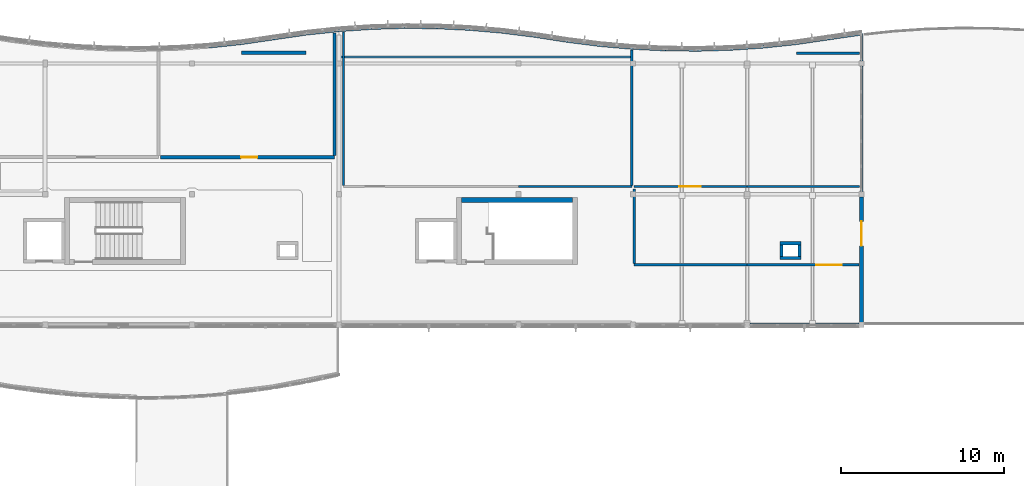
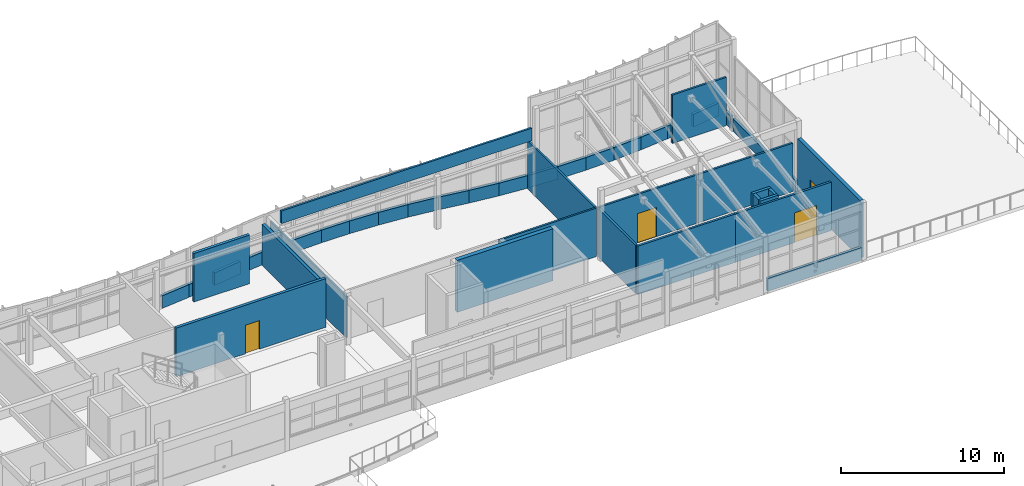
# One storey, part 22 of 33: 42 walls, 4 doors, 4 openings.
"""IFC4 building model written with IfcOpenShell, lengths in metres."""

from ifc_helpers import new_model, si_unit, direction, frame, frame_2d, origin, place, context, subcontext, project, spatial, rectangle, extrude, material, layer, layer_set, type_object, element, fill, save


model = new_model("IFC4")

# Units and contexts
model_context = context("Model", 3, precision=1e-05, world=origin(), true_north=direction((0.0, 1.0)))
body_context = subcontext(model_context, "Body", "Model", "MODEL_VIEW")
ifc_project = project(units=[si_unit("LENGTHUNIT", "METRE"), si_unit("AREAUNIT", "SQUARE_METRE"), si_unit("VOLUMEUNIT", "CUBIC_METRE"), si_unit("PLANEANGLEUNIT", "RADIAN"), si_unit("MASSUNIT", "GRAM", prefix="KILO")], contexts=[model_context])

# Site, building, storey
site_placement = place(None, origin())
site = spatial("IfcSite", under=ifc_project, at=site_placement, CompositionType="ELEMENT")
building_placement = place(site_placement, origin())
building = spatial("IfcBuilding", under=site, at=building_placement, Name="Tonlespit Floodbar School", CompositionType="ELEMENT")
storey_placement = place(building_placement, frame((0.0, 0.0, 16.199951171875)))
storey = spatial("IfcBuildingStorey", under=building, at=storey_placement, Name="L04", CompositionType="ELEMENT", Elevation=16.199951171875)

# Wall
ifc_material_1 = material(Name="Concrete C40/50", Category="concrete")
ifc_layer_1 = layer(ifc_material_1, 0.300048828125)
ifc_layer_set_1 = layer_set([ifc_layer_1], Name="Concrete C40/50")
wall_type_1 = type_object("IfcWallType", Name="CoreWall_RC_300", PredefinedType="SHEAR", material=ifc_layer_set_1)
wall_1_placement = place(storey_placement, frame((130.300048828125, 111.64990234375, 0.0), z_axis=(0.0, 0.0, 1.0), x_axis=(-1.0, 0.0, 0.0)))
element("IfcWall", 1, at=wall_1_placement, inside=storey, type_object=wall_type_1, Name="L04 core C4 shear wall RGHT", PredefinedType="SHEAR", context=body_context, shape_type="SweptSolid", body=[
    extrude(rectangle(XDim=6.800048828125, YDim=0.300048828125, at=frame_2d((3.39990234375, 0.0))), origin(), (0.0, 0.0, 1.0), 3.900146484375),
])

# Wall, opening, door
ifc_material_2 = material(Name="Precast concrete C40/50", Category="concrete")
ifc_layer_2 = layer(ifc_material_2, 0.239990234375)
ifc_layer_set_2 = layer_set([ifc_layer_2], Name="Precast concrete C40/50")
wall_type_2 = type_object("IfcWallType", Name="ExtWall_Rainscreen_240", PredefinedType="SOLIDWALL", material=ifc_layer_set_2)
wall_2_placement = place(storey_placement, frame((148.0, 111.840087890625, 0.0), z_axis=(0.0, 0.0, 1.0), x_axis=(0.0, -1.0, 0.0)))
wall_2 = element("IfcWall", 2, at=wall_2_placement, inside=storey, type_object=wall_type_2, Name="L04 external wall 0680", PredefinedType="SOLIDWALL", context=body_context, shape_type="SweptSolid", body=[
    extrude(rectangle(XDim=7.68017578125, YDim=0.239990234375, at=frame_2d((3.840087890625, 0.0))), origin(), (0.0, 0.0, 1.0), 4.320068359375),
])
opening_1_placement = place(wall_2_placement, frame((1.5, 0.0, 0.0)))
opening_1 = element("IfcOpeningElement", 3, at=opening_1_placement, cuts=wall_2, Name="Opening D-TR-036", PredefinedType="OPENING", context=body_context, shape_type="SweptSolid", body=[
    extrude(rectangle(XDim=1.5, YDim=2.14990234375, at=frame_2d((0.75, 1.074951171875))), frame((0.0, 0.1298828125, 0.0), z_axis=(0.0, -1.0, 0.0), x_axis=(1.0, 0.0, 0.0)), (0.0, 0.0, 1.0), 0.260009765625),
])
ifc_material_3 = material(Name="Anodised Aluminium", Category="aluminium")
door_type_1 = type_object("IfcDoorType", Name="ExtDoor_Terrace_1500x2150", OperationType="NOTDEFINED", PredefinedType="DOOR", material=ifc_material_3)
door_1_placement = place(opening_1_placement, origin())
door_1 = element("IfcDoor", 4, at=door_1_placement, inside=storey, type_object=door_type_1, Name="L04 exterior door D-TR-036", OperationType="SINGLE_SWING_RIGHT", OverallHeight=2.14990234375, OverallWidth=1.5, PredefinedType="DOOR", context=body_context, shape_type="SweptSolid", body=[
    extrude(rectangle(XDim=1.5, YDim=2.14990234375, at=frame_2d((0.75, 1.074951171875))), frame((0.0, 0.02490234375, 0.0), z_axis=(0.0, -1.0, 0.0), x_axis=(1.0, 0.0, 0.0)), (0.0, 0.0, 1.0), 0.050048828125),
])
fill(opening_1, door_1)

# Walls
ifc_material_4 = material(Name="White Architectural Precast concrete C40/50", Category="concrete")
ifc_layer_3 = layer(ifc_material_4, 0.18505859375)
ifc_layer_set_3 = layer_set([ifc_layer_3], Name="White Architectural Precast concrete C40/50")
wall_type_3 = type_object("IfcWallType", Name="ExtWall_Spandrel_White_185", PredefinedType="SOLIDWALL", material=ifc_layer_set_3)
wall_3_placement = place(storey_placement, frame((148.0, 121.841552734375, 0.0), z_axis=(0.0, 0.0, 1.0), x_axis=(0.0, -1.0, 0.0)))
element("IfcWall", 5, at=wall_3_placement, inside=storey, type_object=wall_type_3, Name="L04 spandrel wall 0678", PredefinedType="SOLIDWALL", context=body_context, shape_type="SweptSolid", body=[
    extrude(rectangle(XDim=1.681640625, YDim=0.18505859375, at=frame_2d((0.8408203125, 0.0))), origin(), (0.0, 0.0, 1.0), 0.949951171875),
])
wall_4_placement = place(storey_placement, frame((148.0, 119.840087890625, 0.0), z_axis=(0.0, 0.0, 1.0), x_axis=(0.0, -1.0, 0.0)))
element("IfcWall", 6, at=wall_4_placement, inside=storey, type_object=wall_type_3, Name="L04 spandrel wall 0679", PredefinedType="SOLIDWALL", context=body_context, shape_type="SweptSolid", body=[
    extrude(rectangle(XDim=7.68017578125, YDim=0.18505859375, at=frame_2d((3.840087890625, 0.0))), origin(), (0.0, 0.0, 1.0), 0.949951171875),
])
ifc_layer_4 = layer(ifc_material_4, 0.199951171875)
ifc_layer_set_4 = layer_set([ifc_layer_4], Name="White Architectural Precast concrete C40/50")
wall_type_4 = type_object("IfcWallType", Name="ExtWall_Spandrel_White_200", PredefinedType="SOLIDWALL", material=ifc_layer_set_4)
wall_5_placement = place(storey_placement, frame((108.0, 121.045654296875, 0.0), z_axis=(0.0, 0.0, 1.0), x_axis=(0.994395160059, 0.105727317433, 0.0)))
element("IfcWall", 7, at=wall_5_placement, inside=storey, type_object=wall_type_4, Name="L04 spandrel wall 0221", PredefinedType="SOLIDWALL", context=body_context, shape_type="SweptSolid", body=[
    extrude(rectangle(XDim=2.01123046875, YDim=0.199951171875, at=frame_2d((1.005615234375, 0.0))), origin(), (0.0, 0.0, 1.0), 0.949951171875),
])
for number, where, z_axis, x_axis, name in (
    (8, (110.0, 121.25830078125, 0.0), (0.0, 0.0, 1.0), (0.989527230727, 0.144346318447, 0.0), "L04 spandrel wall 0222"),
    (9, (112.0, 121.550048828125, 0.0), (0.0, 0.0, 1.0), (0.989544477223, 0.144228040259, 0.0), "L04 spandrel wall 0223"),
):
    element("IfcWall", number, at=place(storey_placement, frame(where, z_axis=z_axis, x_axis=x_axis)), inside=storey, type_object=wall_type_4, Name=name, PredefinedType="SOLIDWALL", context=body_context, shape_type="SweptSolid", body=[
        extrude(rectangle(XDim=2.021240234375, YDim=0.199951171875, at=frame_2d((1.0107421875, 0.0))), origin(), (0.0, 0.0, 1.0), 0.949951171875),
    ])
wall_6_placement = place(storey_placement, frame((114.0, 121.841552734375, 0.0), z_axis=(0.0, 0.0, 1.0), x_axis=(0.994395160059, 0.105727317433, 0.0)))
element("IfcWall", 10, at=wall_6_placement, inside=storey, type_object=wall_type_4, Name="L04 spandrel wall 0224", PredefinedType="SOLIDWALL", context=body_context, shape_type="SweptSolid", body=[
    extrude(rectangle(XDim=2.01123046875, YDim=0.199951171875, at=frame_2d((1.005615234375, 0.0))), origin(), (0.0, 0.0, 1.0), 0.949951171875),
])
wall_7_placement = place(storey_placement, frame((116.0, 122.05419921875, 0.0), z_axis=(0.0, 0.0, 1.0), x_axis=(0.997729302978, 0.067351599676, 0.0)))
element("IfcWall", 11, at=wall_7_placement, inside=storey, type_object=wall_type_4, Name="L04 spandrel wall 0662", PredefinedType="SOLIDWALL", context=body_context, shape_type="SweptSolid", body=[
    extrude(rectangle(XDim=2.004638671875, YDim=0.199951171875, at=frame_2d((1.00244140625, 0.0))), origin(), (0.0, 0.0, 1.0), 0.949951171875),
])
wall_8_placement = place(storey_placement, frame((118.0, 122.189208984375, 0.0), z_axis=(0.0, 0.0, 1.0), x_axis=(0.999581770858, 0.028918564416, 0.0)))
element("IfcWall", 12, at=wall_8_placement, inside=storey, type_object=wall_type_4, Name="L04 spandrel wall 0663", PredefinedType="SOLIDWALL", context=body_context, shape_type="SweptSolid", body=[
    extrude(rectangle(XDim=2.000732421875, YDim=0.199951171875, at=frame_2d((1.00048828125, 0.0))), origin(), (0.0, 0.0, 1.0), 0.949951171875),
])
wall_9_placement = place(storey_placement, frame((120.0, 122.2470703125, 0.0), z_axis=(0.0, 0.0, 1.0), x_axis=(0.999953504169, -0.009643106302, 0.0)))
element("IfcWall", 13, at=wall_9_placement, inside=storey, type_object=wall_type_4, Name="L04 spandrel wall 0664", PredefinedType="SOLIDWALL", context=body_context, shape_type="SweptSolid", body=[
    extrude(rectangle(XDim=2.0, YDim=0.199951171875, at=frame_2d((1.0, 0.0))), origin(), (0.0, 0.0, 1.0), 0.949951171875),
])
wall_10_placement = place(storey_placement, frame((122.0, 122.227783203125, 0.0), z_axis=(0.0, 0.0, 1.0), x_axis=(0.99884540439, -0.048040172037, 0.0)))
element("IfcWall", 14, at=wall_10_placement, inside=storey, type_object=wall_type_4, Name="L04 spandrel wall 0665", PredefinedType="SOLIDWALL", context=body_context, shape_type="SweptSolid", body=[
    extrude(rectangle(XDim=2.002197265625, YDim=0.199951171875, at=frame_2d((1.0009765625, 0.0))), origin(), (0.0, 0.0, 1.0), 0.949951171875),
])
wall_11_placement = place(storey_placement, frame((124.0, 122.131591796875, 0.0), z_axis=(0.0, 0.0, 1.0), x_axis=(0.996244237948, -0.086587633962, 0.0)))
element("IfcWall", 15, at=wall_11_placement, inside=storey, type_object=wall_type_4, Name="L04 spandrel wall 0666", PredefinedType="SOLIDWALL", context=body_context, shape_type="SweptSolid", body=[
    extrude(rectangle(XDim=2.007568359375, YDim=0.199951171875, at=frame_2d((1.00390625, 0.0))), origin(), (0.0, 0.0, 1.0), 0.949951171875),
])
wall_12_placement = place(storey_placement, frame((126.0, 121.957763671875, 0.0), z_axis=(0.0, 0.0, 1.0), x_axis=(0.992158168336, -0.124988675503, 0.0)))
element("IfcWall", 16, at=wall_12_placement, inside=storey, type_object=wall_type_4, Name="L04 spandrel wall 0667", PredefinedType="SOLIDWALL", context=body_context, shape_type="SweptSolid", body=[
    extrude(rectangle(XDim=2.015869140625, YDim=0.199951171875, at=frame_2d((1.0078125, 0.0))), origin(), (0.0, 0.0, 1.0), 0.949951171875),
])
wall_13_placement = place(storey_placement, frame((128.0, 121.705810546875, 0.0), z_axis=(0.0, 0.0, 1.0), x_axis=(0.988085509852, -0.153905897287, 0.0)))
element("IfcWall", 17, at=wall_13_placement, inside=storey, type_object=wall_type_4, Name="L04 spandrel wall 0668", PredefinedType="SOLIDWALL", context=body_context, shape_type="SweptSolid", body=[
    extrude(rectangle(XDim=2.024169921875, YDim=0.199951171875, at=frame_2d((1.01220703125, 0.0))), origin(), (0.0, 0.0, 1.0), 0.949951171875),
])
wall_14_placement = place(storey_placement, frame((130.0, 121.394287109375, 0.0), z_axis=(0.0, 0.0, 1.0), x_axis=(0.992158168336, -0.124988675503, 0.0)))
element("IfcWall", 18, at=wall_14_placement, inside=storey, type_object=wall_type_4, Name="L04 spandrel wall 0669", PredefinedType="SOLIDWALL", context=body_context, shape_type="SweptSolid", body=[
    extrude(rectangle(XDim=2.015869140625, YDim=0.199951171875, at=frame_2d((1.0078125, 0.0))), origin(), (0.0, 0.0, 1.0), 0.949951171875),
])
wall_15_placement = place(storey_placement, frame((132.0, 121.142333984375, 0.0), z_axis=(0.0, 0.0, 1.0), x_axis=(0.996244237948, -0.086587633962, 0.0)))
element("IfcWall", 19, at=wall_15_placement, inside=storey, type_object=wall_type_4, Name="L04 spandrel wall 0670", PredefinedType="SOLIDWALL", context=body_context, shape_type="SweptSolid", body=[
    extrude(rectangle(XDim=2.007568359375, YDim=0.199951171875, at=frame_2d((1.00390625, 0.0))), origin(), (0.0, 0.0, 1.0), 0.949951171875),
])
wall_16_placement = place(storey_placement, frame((134.0, 120.968505859375, 0.0), z_axis=(0.0, 0.0, 1.0), x_axis=(0.99884540439, -0.048040172037, 0.0)))
element("IfcWall", 20, at=wall_16_placement, inside=storey, type_object=wall_type_4, Name="L04 spandrel wall 0671", PredefinedType="SOLIDWALL", context=body_context, shape_type="SweptSolid", body=[
    extrude(rectangle(XDim=2.002197265625, YDim=0.199951171875, at=frame_2d((1.0009765625, 0.0))), origin(), (0.0, 0.0, 1.0), 0.949951171875),
])
wall_17_placement = place(storey_placement, frame((136.0, 120.872314453125, 0.0), z_axis=(0.0, 0.0, 1.0), x_axis=(0.999953504169, -0.009643106302, 0.0)))
element("IfcWall", 21, at=wall_17_placement, inside=storey, type_object=wall_type_4, Name="L04 spandrel wall 0672", PredefinedType="SOLIDWALL", context=body_context, shape_type="SweptSolid", body=[
    extrude(rectangle(XDim=2.0, YDim=0.199951171875, at=frame_2d((1.0, 0.0))), origin(), (0.0, 0.0, 1.0), 0.949951171875),
])
wall_18_placement = place(storey_placement, frame((138.0, 120.85302734375, 0.0), z_axis=(0.0, 0.0, 1.0), x_axis=(0.999585290582, 0.028796646555, 0.0)))
element("IfcWall", 22, at=wall_18_placement, inside=storey, type_object=wall_type_4, Name="L04 spandrel wall 0673", PredefinedType="SOLIDWALL", context=body_context, shape_type="SweptSolid", body=[
    extrude(rectangle(XDim=2.000732421875, YDim=0.199951171875, at=frame_2d((1.00048828125, 0.0))), origin(), (0.0, 0.0, 1.0), 0.949951171875),
])
wall_19_placement = place(storey_placement, frame((140.0, 120.91064453125, 0.0), z_axis=(0.0, 0.0, 1.0), x_axis=(0.997729302978, 0.067351599676, 0.0)))
element("IfcWall", 23, at=wall_19_placement, inside=storey, type_object=wall_type_4, Name="L04 spandrel wall 0674", PredefinedType="SOLIDWALL", context=body_context, shape_type="SweptSolid", body=[
    extrude(rectangle(XDim=2.004638671875, YDim=0.199951171875, at=frame_2d((1.00244140625, 0.0))), origin(), (0.0, 0.0, 1.0), 0.949951171875),
])
wall_20_placement = place(storey_placement, frame((142.0, 121.045654296875, 0.0), z_axis=(0.0, 0.0, 1.0), x_axis=(0.994395160059, 0.105727317433, 0.0)))
element("IfcWall", 24, at=wall_20_placement, inside=storey, type_object=wall_type_4, Name="L04 spandrel wall 0675", PredefinedType="SOLIDWALL", context=body_context, shape_type="SweptSolid", body=[
    extrude(rectangle(XDim=2.01123046875, YDim=0.199951171875, at=frame_2d((1.005615234375, 0.0))), origin(), (0.0, 0.0, 1.0), 0.949951171875),
])
for number, where, z_axis, x_axis, name in (
    (25, (144.0, 121.25830078125, 0.0), (0.0, 0.0, 1.0), (0.989527230727, 0.144346318447, 0.0), "L04 spandrel wall 0676"),
    (26, (146.0, 121.550048828125, 0.0), (0.0, 0.0, 1.0), (0.989544477223, 0.144228040259, 0.0), "L04 spandrel wall 0677"),
):
    element("IfcWall", number, at=place(storey_placement, frame(where, z_axis=z_axis, x_axis=x_axis)), inside=storey, type_object=wall_type_4, Name=name, PredefinedType="SOLIDWALL", context=body_context, shape_type="SweptSolid", body=[
        extrude(rectangle(XDim=2.021240234375, YDim=0.199951171875, at=frame_2d((1.0107421875, 0.0))), origin(), (0.0, 0.0, 1.0), 0.949951171875),
    ])
wall_21_placement = place(storey_placement, frame((147.840087890625, 104.0, 0.0), z_axis=(0.0, 0.0, 1.0), x_axis=(-1.0, 0.0, 0.0)))
element("IfcWall", 27, at=wall_21_placement, inside=storey, type_object=wall_type_4, Name="L04 spandrel wall 0681", PredefinedType="SOLIDWALL", context=body_context, shape_type="SweptSolid", body=[
    extrude(rectangle(XDim=6.68017578125, YDim=0.199951171875, at=frame_2d((3.340087890625, 0.0))), origin(), (0.0, 0.0, 1.0), 0.949951171875),
])
ifc_layer_5 = layer(ifc_material_1, 0.199951171875)
ifc_layer_set_5 = layer_set([ifc_layer_5], Name="Concrete C40/50")
wall_type_5 = type_object("IfcWallType", Name="FireWall_Plant_200", PredefinedType="PARTITIONING", material=ifc_layer_set_5)
for number, where, z_axis, x_axis, name in (
    (28, (144.300048828125, 108.10009765625, 0.0), (0.0, 0.0, 1.0), (-1.0, 0.0, 0.0), "L04 service riser 05 wall S"),
    (29, (143.0, 109.0, 0.0), (0.0, 0.0, 1.0), (1.0, 0.0, 0.0), "L04 service riser 05 wall N"),
):
    element("IfcWall", number, at=place(storey_placement, frame(where, z_axis=z_axis, x_axis=x_axis)), inside=storey, type_object=wall_type_5, Name=name, PredefinedType="PARTITIONING", context=body_context, shape_type="SweptSolid", body=[
        extrude(rectangle(XDim=1.300048828125, YDim=0.199951171875, at=frame_2d((0.64990234375, 0.0))), origin(), (0.0, 0.0, 1.0), 3.650146484375),
    ])
for number, where, z_axis, x_axis, name in (
    (30, (143.10009765625, 108.199951171875, 0.0), (0.0, 0.0, 1.0), (0.0, 1.0, 0.0), "L04 service riser 05 wall W"),
    (31, (144.199951171875, 108.89990234375, 0.0), (0.0, 0.0, 1.0), (0.0, -1.0, 0.0), "L04 service riser 05 wall E"),
):
    element("IfcWall", number, at=place(storey_placement, frame(where, z_axis=z_axis, x_axis=x_axis)), inside=storey, type_object=wall_type_5, Name=name, PredefinedType="PARTITIONING", context=body_context, shape_type="SweptSolid", body=[
        extrude(rectangle(XDim=0.699951171875, YDim=0.199951171875, at=frame_2d((0.35009765625, 0.0))), origin(), (0.0, 0.0, 1.0), 3.650146484375),
    ])

# Wall, opening, door
wall_22_placement = place(storey_placement, frame((105.070068359375, 114.27001953125, 0.0), z_axis=(0.0, 0.0, 1.0), x_axis=(1.0, 0.0, 0.0)))
wall_22 = element("IfcWall", 32, at=wall_22_placement, inside=storey, type_object=wall_type_5, Name="L04 partition wall 0124", PredefinedType="PARTITIONING", context=body_context, shape_type="SweptSolid", body=[
    extrude(rectangle(XDim=10.659912109375, YDim=0.199951171875, at=frame_2d((5.330078125, 0.0))), origin(), (0.0, 0.0, 1.0), 3.650146484375),
])
opening_2_placement = place(wall_22_placement, frame((4.929931640625, 0.0, 0.0)))
opening_2 = element("IfcOpeningElement", 33, at=opening_2_placement, cuts=wall_22, Name="Opening D-L04-040", PredefinedType="OPENING", context=body_context, shape_type="SweptSolid", body=[
    extrude(rectangle(XDim=1.0, YDim=2.14990234375, at=frame_2d((0.5, 1.074951171875))), frame((0.0, 0.10986328125, 0.0), z_axis=(0.0, -1.0, 0.0), x_axis=(1.0, 0.0, 0.0)), (0.0, 0.0, 1.0), 0.219970703125),
])
ifc_material_5 = material(Name="Hardwood Timber", Category="wood")
door_type_2 = type_object("IfcDoorType", Name="FireDoor_Compartment_1000x2150", OperationType="NOTDEFINED", PredefinedType="DOOR", material=ifc_material_5)
door_2_placement = place(opening_2_placement, origin())
door_2 = element("IfcDoor", 34, at=door_2_placement, inside=storey, type_object=door_type_2, Name="L04 interior door D-L04-040", OperationType="SINGLE_SWING_LEFT", OverallHeight=2.14990234375, OverallWidth=1.0, PredefinedType="DOOR", context=body_context, shape_type="SweptSolid", body=[
    extrude(rectangle(XDim=1.0, YDim=2.14990234375, at=frame_2d((0.5, 1.074951171875))), frame((0.0, 0.02490234375, 0.0), z_axis=(0.0, -1.0, 0.0), x_axis=(1.0, 0.0, 0.0)), (0.0, 0.0, 1.0), 0.050048828125),
])
fill(opening_2, door_2)

# Walls
wall_23_placement = place(storey_placement, frame((110.02001953125, 120.662109375, 0.0), z_axis=(0.0, 0.0, 1.0), x_axis=(1.0, 0.0, 0.0)))
element("IfcWall", 35, at=wall_23_placement, inside=storey, type_object=wall_type_5, Name="L04 partition wall 0125", PredefinedType="PARTITIONING", context=body_context, shape_type="SweptSolid", body=[
    extrude(rectangle(XDim=3.9599609375, YDim=0.199951171875, at=frame_2d((1.97998046875, 0.0))), origin(), (0.0, 0.0, 1.0), 3.650146484375),
])
wall_24_placement = place(storey_placement, frame((115.72998046875, 114.385009765625, 0.0), z_axis=(0.0, 0.0, 1.0), x_axis=(0.0, 1.0, 0.0)))
element("IfcWall", 36, at=wall_24_placement, inside=storey, type_object=wall_type_5, Name="L04 partition wall 0126", PredefinedType="PARTITIONING", context=body_context, shape_type="SweptSolid", body=[
    extrude(rectangle(XDim=7.49853515625, YDim=0.199951171875, at=frame_2d((3.749267578125, 0.0))), origin(), (0.0, 0.0, 1.0), 3.090087890625),
])
ifc_material_6 = material(Name="CLT C24", Category="wood")
ifc_layer_6 = layer(ifc_material_6, 0.139892578125)
ifc_layer_set_6 = layer_set([ifc_layer_6], Name="CLT C24")
wall_type_6 = type_object("IfcWallType", Name="Parapet_CLT_140", PredefinedType="PARAPET", material=ifc_layer_set_6)
wall_25_placement = place(storey_placement, frame((116.10009765625, 120.39990234375, 3.900146484375), z_axis=(0.0, 0.0, 1.0), x_axis=(1.0, 0.0, 0.0)))
element("IfcWall", 37, at=wall_25_placement, inside=storey, type_object=wall_type_6, Name="Roof parapet 02", PredefinedType="PARAPET", context=body_context, shape_type="SweptSolid", body=[
    extrude(rectangle(XDim=17.7998046875, YDim=0.139892578125, at=frame_2d((8.89990234375, 0.0))), origin(), (0.0, 0.0, 1.0), 0.949951171875),
])
ifc_material_7 = material(Name="Gypsum Plasterboard Partition")
ifc_layer_7 = layer(ifc_material_7, 0.1298828125)
ifc_layer_set_7 = layer_set([ifc_layer_7], Name="Gypsum Plasterboard Partition")
wall_type_7 = type_object("IfcWallType", Name="Partition_Gyp_130", PredefinedType="PARTITIONING", material=ifc_layer_set_7)
wall_26_placement = place(storey_placement, frame((127.0, 112.469970703125, 0.0), z_axis=(0.0, 0.0, 1.0), x_axis=(1.0, 0.0, 0.0)))
element("IfcWall", 38, at=wall_26_placement, inside=storey, type_object=wall_type_7, Name="L04 partition wall 0425", PredefinedType="PARTITIONING", context=body_context, shape_type="SweptSolid", body=[
    extrude(rectangle(XDim=6.929931640625, YDim=0.1298828125, at=frame_2d((3.46484375, 0.0))), origin(), (0.0, 0.0, 1.0), 3.64013671875),
])
wall_27_placement = place(storey_placement, frame((116.27001953125, 112.550048828125, 0.0), z_axis=(0.0, 0.0, 1.0), x_axis=(0.0, 1.0, 0.0)))
element("IfcWall", 39, at=wall_27_placement, inside=storey, type_object=wall_type_7, Name="L04 partition wall 0426", PredefinedType="PARTITIONING", context=body_context, shape_type="SweptSolid", body=[
    extrude(rectangle(XDim=9.38037109375, YDim=0.1298828125, at=frame_2d((4.690185546875, 0.0))), origin(), (0.0, 0.0, 1.0), 3.090087890625),
])
wall_28_placement = place(storey_placement, frame((133.929931640625, 112.550048828125, 0.0), z_axis=(0.0, 0.0, 1.0), x_axis=(0.0, 1.0, 0.0)))
element("IfcWall", 40, at=wall_28_placement, inside=storey, type_object=wall_type_7, Name="L04 partition wall 0427", PredefinedType="PARTITIONING", context=body_context, shape_type="SweptSolid", body=[
    extrude(rectangle(XDim=8.27978515625, YDim=0.1298828125, at=frame_2d((4.139892578125, 0.0))), origin(), (0.0, 0.0, 1.0), 3.64013671875),
])

# Wall, opening, door
ifc_layer_8 = layer(ifc_material_7, 0.139892578125)
ifc_layer_set_8 = layer_set([ifc_layer_8], Name="Gypsum Plasterboard Partition")
wall_type_8 = type_object("IfcWallType", Name="Partition_Gyp_140", PredefinedType="PARTITIONING", material=ifc_layer_set_8)
wall_29_placement = place(storey_placement, frame((134.070068359375, 112.469970703125, 0.0), z_axis=(0.0, 0.0, 1.0), x_axis=(1.0, 0.0, 0.0)))
wall_29 = element("IfcWall", 41, at=wall_29_placement, inside=storey, type_object=wall_type_8, Name="L04 partition wall 0428", PredefinedType="PARTITIONING", context=body_context, shape_type="SweptSolid", body=[
    extrude(rectangle(XDim=6.929931640625, YDim=0.139892578125, at=frame_2d((3.46484375, 0.0))), origin(), (0.0, 0.0, 1.0), 3.64013671875),
])
opening_3_placement = place(wall_29_placement, frame((2.77001953125, 0.0, 0.0)))
opening_3 = element("IfcOpeningElement", 42, at=opening_3_placement, cuts=wall_29, Name="Opening D-L04-117", PredefinedType="OPENING", context=body_context, shape_type="SweptSolid", body=[
    extrude(rectangle(XDim=1.320068359375, YDim=2.199951171875, at=frame_2d((0.66015625, 1.10009765625))), frame((0.0, 0.079833984375, 0.0), z_axis=(0.0, -1.0, 0.0), x_axis=(1.0, 0.0, 0.0)), (0.0, 0.0, 1.0), 0.159912109375),
])
door_type_3 = type_object("IfcDoorType", Name="IntDoor_1320x2200", OperationType="NOTDEFINED", PredefinedType="DOOR", material=ifc_material_5)
door_3_placement = place(opening_3_placement, origin())
door_3 = element("IfcDoor", 43, at=door_3_placement, inside=storey, type_object=door_type_3, Name="L04 interior door D-L04-117", OperationType="SINGLE_SWING_RIGHT", OverallHeight=2.199951171875, OverallWidth=1.320068359375, PredefinedType="DOOR", context=body_context, shape_type="SweptSolid", body=[
    extrude(rectangle(XDim=1.320068359375, YDim=2.199951171875, at=frame_2d((0.66015625, 1.10009765625))), frame((0.0, 0.02490234375, 0.0), z_axis=(0.0, -1.0, 0.0), x_axis=(1.0, 0.0, 0.0)), (0.0, 0.0, 1.0), 0.050048828125),
])
fill(opening_3, door_3)

# Walls
wall_30_placement = place(storey_placement, frame((141.0, 112.469970703125, 0.0), z_axis=(0.0, 0.0, 1.0), x_axis=(1.0, 0.0, 0.0)))
element("IfcWall", 44, at=wall_30_placement, inside=storey, type_object=wall_type_8, Name="L04 partition wall 0429", PredefinedType="PARTITIONING", context=body_context, shape_type="SweptSolid", body=[
    extrude(rectangle(XDim=6.865478515625, YDim=0.139892578125, at=frame_2d((3.4326171875, 0.0))), origin(), (0.0, 0.0, 1.0), 3.64013671875),
])
wall_31_placement = place(storey_placement, frame((144.02001953125, 120.64111328125, 0.0), z_axis=(0.0, 0.0, 1.0), x_axis=(1.0, 0.0, 0.0)))
element("IfcWall", 45, at=wall_31_placement, inside=storey, type_object=wall_type_8, Name="L04 partition wall 0430", PredefinedType="PARTITIONING", context=body_context, shape_type="SweptSolid", body=[
    extrude(rectangle(XDim=3.845458984375, YDim=0.139892578125, at=frame_2d((1.9228515625, 0.0))), origin(), (0.0, 0.0, 1.0), 3.64013671875),
])
ifc_layer_9 = layer(ifc_material_7, 0.14990234375)
ifc_layer_set_9 = layer_set([ifc_layer_9], Name="Gypsum Plasterboard Partition")
wall_type_9 = type_object("IfcWallType", Name="Partition_Gyp_150", PredefinedType="PARTITIONING", material=ifc_layer_set_9)
wall_32_placement = place(storey_placement, frame((134.070068359375, 107.669921875, 0.0), z_axis=(0.0, 0.0, 1.0), x_axis=(1.0, 0.0, 0.0)))
element("IfcWall", 46, at=wall_32_placement, inside=storey, type_object=wall_type_9, Name="L04 partition wall 0431", PredefinedType="PARTITIONING", context=body_context, shape_type="SweptSolid", body=[
    extrude(rectangle(XDim=6.929931640625, YDim=0.14990234375, at=frame_2d((3.46484375, 0.0))), origin(), (0.0, 0.0, 1.0), 3.64013671875),
])

# Wall, opening, door
wall_33_placement = place(storey_placement, frame((141.0, 107.669921875, 0.0), z_axis=(0.0, 0.0, 1.0), x_axis=(1.0, 0.0, 0.0)))
wall_33 = element("IfcWall", 47, at=wall_33_placement, inside=storey, type_object=wall_type_9, Name="L04 partition wall 0432", PredefinedType="PARTITIONING", context=body_context, shape_type="SweptSolid", body=[
    extrude(rectangle(XDim=6.837890625, YDim=0.14990234375, at=frame_2d((3.4189453125, 0.0))), origin(), (0.0, 0.0, 1.0), 3.64013671875),
])
opening_4_placement = place(wall_33_placement, frame((4.219970703125, 0.0, 0.0)))
opening_4 = element("IfcOpeningElement", 48, at=opening_4_placement, cuts=wall_33, Name="Opening D-L04-118", PredefinedType="OPENING", context=body_context, shape_type="SweptSolid", body=[
    extrude(rectangle(XDim=1.56005859375, YDim=2.25, at=frame_2d((0.780029296875, 1.125))), frame((0.0, 0.0849609375, 0.0), z_axis=(0.0, -1.0, 0.0), x_axis=(1.0, 0.0, 0.0)), (0.0, 0.0, 1.0), 0.169921875),
])
door_type_4 = type_object("IfcDoorType", Name="IntDoor_1560x2250", OperationType="NOTDEFINED", PredefinedType="DOOR", material=ifc_material_5)
door_4_placement = place(opening_4_placement, origin())
door_4 = element("IfcDoor", 49, at=door_4_placement, inside=storey, type_object=door_type_4, Name="L04 interior door D-L04-118", OperationType="SINGLE_SWING_LEFT", OverallHeight=2.25, OverallWidth=1.56005859375, PredefinedType="DOOR", context=body_context, shape_type="SweptSolid", body=[
    extrude(rectangle(XDim=1.56005859375, YDim=2.25, at=frame_2d((0.780029296875, 1.125))), frame((0.0, 0.02490234375, 0.0), z_axis=(0.0, -1.0, 0.0), x_axis=(1.0, 0.0, 0.0)), (0.0, 0.0, 1.0), 0.050048828125),
])
fill(opening_4, door_4)

# Wall
wall_34_placement = place(storey_placement, frame((134.070068359375, 107.760009765625, 0.0), z_axis=(0.0, 0.0, 1.0), x_axis=(0.0, 1.0, 0.0)))
element("IfcWall", 50, at=wall_34_placement, inside=storey, type_object=wall_type_9, Name="L04 partition wall 0433", PredefinedType="PARTITIONING", context=body_context, shape_type="SweptSolid", body=[
    extrude(rectangle(XDim=4.570068359375, YDim=0.14990234375, at=frame_2d((2.28515625, 0.0))), origin(), (0.0, 0.0, 1.0), 3.64013671875),
])

save(model, "model.ifc")
